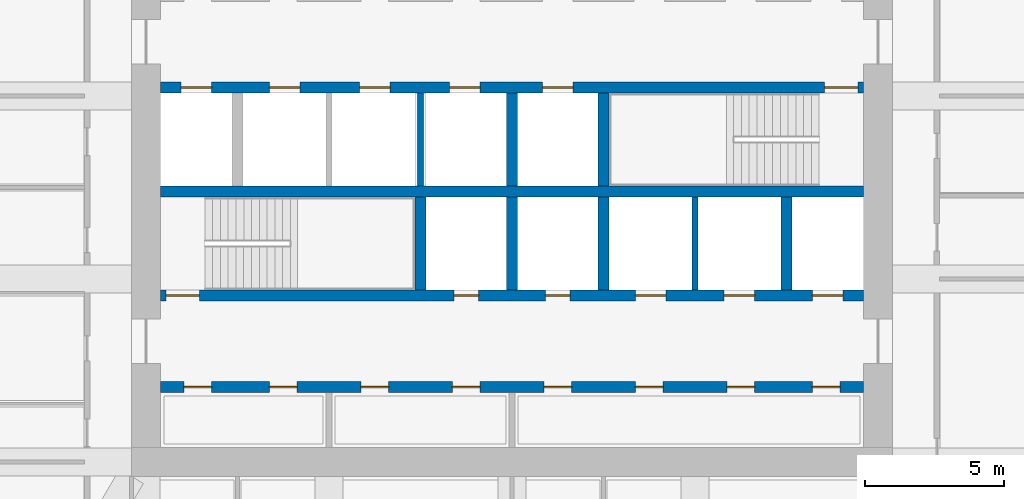
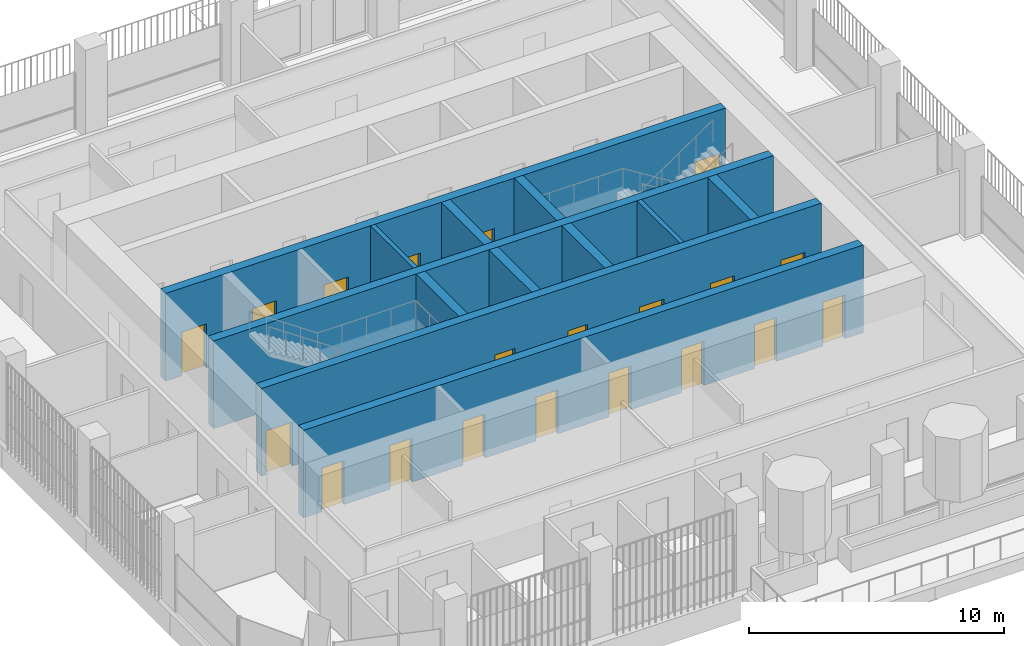
# One storey, part 15 of 21: 20 doors, 12 walls, 20 openings.
"""IFC4 building model written with IfcOpenShell, lengths in metres."""

from ifc_helpers import new_model, si_unit, direction, frame, frame_2d, origin, place, context, subcontext, project, spatial, rectangle, extrude, material, layer, layer_set, type_object, element, fill, save


model = new_model("IFC4")

# Units and contexts
model_context = context("Model", 3, precision=1e-05, world=origin(), true_north=direction((0.0, 1.0)))
body_context = subcontext(model_context, "Body", "Model", "MODEL_VIEW")
ifc_project = project(units=[si_unit("LENGTHUNIT", "METRE"), si_unit("AREAUNIT", "SQUARE_METRE"), si_unit("VOLUMEUNIT", "CUBIC_METRE"), si_unit("PLANEANGLEUNIT", "RADIAN"), si_unit("MASSUNIT", "GRAM", prefix="KILO")], contexts=[model_context])

# Site, building, storey
site_placement = place(None, origin())
site = spatial("IfcSite", under=ifc_project, at=site_placement, CompositionType="ELEMENT")
building_placement = place(site_placement, origin())
building = spatial("IfcBuilding", under=site, at=building_placement, Name="Cobogo Forest Laboratory Tower", CompositionType="ELEMENT")
storey_placement = place(building_placement, frame((0.0, 0.0, 258.60009765625)))
storey = spatial("IfcBuildingStorey", under=building, at=storey_placement, Name="L59", CompositionType="ELEMENT", Elevation=258.60009765625)

# Wall, openings, doors
ifc_material_1 = material(Name="Concrete HA-50 (C50/60)", Category="concrete")
ifc_layer_1 = layer(ifc_material_1, 0.39990234375)
ifc_layer_set_1 = layer_set([ifc_layer_1], Name="CI400 core inner wall 400")
wall_type_1 = type_object("IfcWallType", Name="CI400 core inner wall 400", PredefinedType="SHEAR", material=ifc_layer_set_1)
wall_1_placement = place(storey_placement, frame((13.72509765625, 15.89990234375, 0.0), z_axis=(0.0, 0.0, 1.0), x_axis=(1.0, 0.0, 0.0)))
wall_1 = element("IfcWall", 1, at=wall_1_placement, inside=storey, type_object=wall_type_1, Name="Core wall CI-15.9 L59", PredefinedType="SHEAR", context=body_context, shape_type="SweptSolid", body=[
    extrude(rectangle(XDim=25.349853515625, YDim=0.39990234375, at=frame_2d((12.6748046875, 0.0))), origin(), (0.0, 0.0, 1.0), 4.199951171875),
])
opening_1_placement = place(wall_1_placement, frame((0.83740234375, 0.0, 0.0)))
opening_1 = element("IfcOpeningElement", 2, at=opening_1_placement, cuts=wall_1, Name="Opening L59-D15", PredefinedType="OPENING", context=body_context, shape_type="SweptSolid", body=[
    extrude(rectangle(XDim=1.0, YDim=2.10009765625, at=frame_2d((0.5, 1.050048828125))), frame((0.0, 0.2099609375, 0.0), z_axis=(0.0, -1.0, 0.0), x_axis=(1.0, 0.0, 0.0)), (0.0, 0.0, 1.0), 0.419921875),
])
opening_2_placement = place(wall_1_placement, frame((3.925048828125, 0.0, 0.0)))
opening_2 = element("IfcOpeningElement", 3, at=opening_2_placement, cuts=wall_1, Name="Opening L59-D16", PredefinedType="OPENING", context=body_context, shape_type="SweptSolid", body=[
    extrude(rectangle(XDim=1.0, YDim=2.10009765625, at=frame_2d((0.5, 1.050048828125))), frame((0.0, 0.2099609375, 0.0), z_axis=(0.0, -1.0, 0.0), x_axis=(1.0, 0.0, 0.0)), (0.0, 0.0, 1.0), 0.419921875),
])
opening_3_placement = place(wall_1_placement, frame((7.22509765625, 0.0, 0.0)))
opening_3 = element("IfcOpeningElement", 4, at=opening_3_placement, cuts=wall_1, Name="Opening L59-D17", PredefinedType="OPENING", context=body_context, shape_type="SweptSolid", body=[
    extrude(rectangle(XDim=1.0, YDim=2.10009765625, at=frame_2d((0.5, 1.050048828125))), frame((0.0, 0.2099609375, 0.0), z_axis=(0.0, -1.0, 0.0), x_axis=(1.0, 0.0, 0.0)), (0.0, 0.0, 1.0), 0.419921875),
])
opening_4_placement = place(wall_1_placement, frame((10.52490234375, 0.0, 0.0)))
opening_4 = element("IfcOpeningElement", 5, at=opening_4_placement, cuts=wall_1, Name="Opening L59-D18", PredefinedType="OPENING", context=body_context, shape_type="SweptSolid", body=[
    extrude(rectangle(XDim=1.0, YDim=2.10009765625, at=frame_2d((0.5, 1.050048828125))), frame((0.0, 0.2099609375, 0.0), z_axis=(0.0, -1.0, 0.0), x_axis=(1.0, 0.0, 0.0)), (0.0, 0.0, 1.0), 0.419921875),
])
opening_5_placement = place(wall_1_placement, frame((13.824951171875, 0.0, 0.0)))
opening_5 = element("IfcOpeningElement", 6, at=opening_5_placement, cuts=wall_1, Name="Opening L59-D19", PredefinedType="OPENING", context=body_context, shape_type="SweptSolid", body=[
    extrude(rectangle(XDim=1.0, YDim=2.10009765625, at=frame_2d((0.5, 1.050048828125))), frame((0.0, 0.2099609375, 0.0), z_axis=(0.0, -1.0, 0.0), x_axis=(1.0, 0.0, 0.0)), (0.0, 0.0, 1.0), 0.419921875),
])
opening_6_placement = place(wall_1_placement, frame((17.125, 0.0, 0.0)))
opening_6 = element("IfcOpeningElement", 7, at=opening_6_placement, cuts=wall_1, Name="Opening L59-D20", PredefinedType="OPENING", context=body_context, shape_type="SweptSolid", body=[
    extrude(rectangle(XDim=1.0, YDim=2.10009765625, at=frame_2d((0.5, 1.050048828125))), frame((0.0, 0.2099609375, 0.0), z_axis=(0.0, -1.0, 0.0), x_axis=(1.0, 0.0, 0.0)), (0.0, 0.0, 1.0), 0.419921875),
])
opening_7_placement = place(wall_1_placement, frame((20.425048828125, 0.0, 0.0)))
opening_7 = element("IfcOpeningElement", 8, at=opening_7_placement, cuts=wall_1, Name="Opening L59-D21", PredefinedType="OPENING", context=body_context, shape_type="SweptSolid", body=[
    extrude(rectangle(XDim=1.0, YDim=2.10009765625, at=frame_2d((0.5, 1.050048828125))), frame((0.0, 0.2099609375, 0.0), z_axis=(0.0, -1.0, 0.0), x_axis=(1.0, 0.0, 0.0)), (0.0, 0.0, 1.0), 0.419921875),
])
opening_8_placement = place(wall_1_placement, frame((23.512451171875, 0.0, 0.0)))
opening_8 = element("IfcOpeningElement", 9, at=opening_8_placement, cuts=wall_1, Name="Opening L59-D22", PredefinedType="OPENING", context=body_context, shape_type="SweptSolid", body=[
    extrude(rectangle(XDim=1.0, YDim=2.10009765625, at=frame_2d((0.5, 1.050048828125))), frame((0.0, 0.2099609375, 0.0), z_axis=(0.0, -1.0, 0.0), x_axis=(1.0, 0.0, 0.0)), (0.0, 0.0, 1.0), 0.419921875),
])
ifc_material_2 = material(Name="Steel fire door", Category="steel")
door_type_1 = type_object("IfcDoorType", Name="FD1 fire door 1000 EI2 60", OperationType="SINGLE_SWING_LEFT", PredefinedType="DOOR", material=ifc_material_2)
door_1_placement = place(opening_1_placement, origin())
door_1 = element("IfcDoor", 10, at=door_1_placement, inside=storey, type_object=door_type_1, Name="Door L59-SH-LA1", OperationType="SINGLE_SWING_LEFT", OverallHeight=2.10009765625, OverallWidth=1.0, PredefinedType="DOOR", context=body_context, shape_type="SweptSolid", body=[
    extrude(rectangle(XDim=1.0, YDim=2.10009765625, at=frame_2d((0.5, 1.050048828125))), frame((0.0, 0.02490234375, 0.0), z_axis=(0.0, -1.0, 0.0), x_axis=(1.0, 0.0, 0.0)), (0.0, 0.0, 1.0), 0.050048828125),
])
fill(opening_1, door_1)
door_2_placement = place(opening_2_placement, origin())
door_2 = element("IfcDoor", 11, at=door_2_placement, inside=storey, type_object=door_type_1, Name="Door L59-SH-LA2", OperationType="SINGLE_SWING_LEFT", OverallHeight=2.10009765625, OverallWidth=1.0, PredefinedType="DOOR", context=body_context, shape_type="SweptSolid", body=[
    extrude(rectangle(XDim=1.0, YDim=2.10009765625, at=frame_2d((0.5, 1.050048828125))), frame((0.0, 0.02490234375, 0.0), z_axis=(0.0, -1.0, 0.0), x_axis=(1.0, 0.0, 0.0)), (0.0, 0.0, 1.0), 0.050048828125),
])
fill(opening_2, door_2)
door_3_placement = place(opening_3_placement, origin())
door_3 = element("IfcDoor", 12, at=door_3_placement, inside=storey, type_object=door_type_1, Name="Door L59-SH-LA3", OperationType="SINGLE_SWING_LEFT", OverallHeight=2.10009765625, OverallWidth=1.0, PredefinedType="DOOR", context=body_context, shape_type="SweptSolid", body=[
    extrude(rectangle(XDim=1.0, YDim=2.10009765625, at=frame_2d((0.5, 1.050048828125))), frame((0.0, 0.02490234375, 0.0), z_axis=(0.0, -1.0, 0.0), x_axis=(1.0, 0.0, 0.0)), (0.0, 0.0, 1.0), 0.050048828125),
])
fill(opening_3, door_3)
door_4_placement = place(opening_4_placement, origin())
door_4 = element("IfcDoor", 13, at=door_4_placement, inside=storey, type_object=door_type_1, Name="Door L59-SH-LA4", OperationType="SINGLE_SWING_LEFT", OverallHeight=2.10009765625, OverallWidth=1.0, PredefinedType="DOOR", context=body_context, shape_type="SweptSolid", body=[
    extrude(rectangle(XDim=1.0, YDim=2.10009765625, at=frame_2d((0.5, 1.050048828125))), frame((0.0, 0.02490234375, 0.0), z_axis=(0.0, -1.0, 0.0), x_axis=(1.0, 0.0, 0.0)), (0.0, 0.0, 1.0), 0.050048828125),
])
fill(opening_4, door_4)
door_5_placement = place(opening_5_placement, origin())
door_5 = element("IfcDoor", 14, at=door_5_placement, inside=storey, type_object=door_type_1, Name="Door L59-SH-LB1", OperationType="SINGLE_SWING_RIGHT", OverallHeight=2.10009765625, OverallWidth=1.0, PredefinedType="DOOR", context=body_context, shape_type="SweptSolid", body=[
    extrude(rectangle(XDim=1.0, YDim=2.10009765625, at=frame_2d((0.5, 1.050048828125))), frame((0.0, 0.02490234375, 0.0), z_axis=(0.0, -1.0, 0.0), x_axis=(1.0, 0.0, 0.0)), (0.0, 0.0, 1.0), 0.050048828125),
])
fill(opening_5, door_5)
door_6_placement = place(opening_6_placement, origin())
door_6 = element("IfcDoor", 15, at=door_6_placement, inside=storey, type_object=door_type_1, Name="Door L59-SH-LB2", OperationType="SINGLE_SWING_RIGHT", OverallHeight=2.10009765625, OverallWidth=1.0, PredefinedType="DOOR", context=body_context, shape_type="SweptSolid", body=[
    extrude(rectangle(XDim=1.0, YDim=2.10009765625, at=frame_2d((0.5, 1.050048828125))), frame((0.0, 0.02490234375, 0.0), z_axis=(0.0, -1.0, 0.0), x_axis=(1.0, 0.0, 0.0)), (0.0, 0.0, 1.0), 0.050048828125),
])
fill(opening_6, door_6)
door_7_placement = place(opening_7_placement, origin())
door_7 = element("IfcDoor", 16, at=door_7_placement, inside=storey, type_object=door_type_1, Name="Door L59-SH-LB3", OperationType="SINGLE_SWING_RIGHT", OverallHeight=2.10009765625, OverallWidth=1.0, PredefinedType="DOOR", context=body_context, shape_type="SweptSolid", body=[
    extrude(rectangle(XDim=1.0, YDim=2.10009765625, at=frame_2d((0.5, 1.050048828125))), frame((0.0, 0.02490234375, 0.0), z_axis=(0.0, -1.0, 0.0), x_axis=(1.0, 0.0, 0.0)), (0.0, 0.0, 1.0), 0.050048828125),
])
fill(opening_7, door_7)
door_8_placement = place(opening_8_placement, origin())
door_8 = element("IfcDoor", 17, at=door_8_placement, inside=storey, type_object=door_type_1, Name="Door L59-SH-LB4", OperationType="SINGLE_SWING_RIGHT", OverallHeight=2.10009765625, OverallWidth=1.0, PredefinedType="DOOR", context=body_context, shape_type="SweptSolid", body=[
    extrude(rectangle(XDim=1.0, YDim=2.10009765625, at=frame_2d((0.5, 1.050048828125))), frame((0.0, 0.02490234375, 0.0), z_axis=(0.0, -1.0, 0.0), x_axis=(1.0, 0.0, 0.0)), (0.0, 0.0, 1.0), 0.050048828125),
])
fill(opening_8, door_8)

wall_2_placement = place(storey_placement, frame((13.72509765625, 19.199951171875, 0.0), z_axis=(0.0, 0.0, 1.0), x_axis=(1.0, 0.0, 0.0)))
wall_2 = element("IfcWall", 18, at=wall_2_placement, inside=storey, type_object=wall_type_1, Name="Core wall CI-19.2 L59", PredefinedType="SHEAR", context=body_context, shape_type="SweptSolid", body=[
    extrude(rectangle(XDim=25.349853515625, YDim=0.39990234375, at=frame_2d((12.6748046875, 0.0))), origin(), (0.0, 0.0, 1.0), 4.199951171875),
])
opening_9_placement = place(wall_2_placement, frame((10.574951171875, 0.0, 0.0)))
opening_9 = element("IfcOpeningElement", 19, at=opening_9_placement, cuts=wall_2, Name="Opening L59-D27", PredefinedType="OPENING", context=body_context, shape_type="SweptSolid", body=[
    extrude(rectangle(XDim=0.89990234375, YDim=2.10009765625, at=frame_2d((0.449951171875, 1.050048828125))), frame((0.0, 0.2099609375, 0.0), z_axis=(0.0, -1.0, 0.0), x_axis=(1.0, 0.0, 0.0)), (0.0, 0.0, 1.0), 0.419921875),
])
opening_10_placement = place(wall_2_placement, frame((13.875, 0.0, 0.0)))
opening_10 = element("IfcOpeningElement", 20, at=opening_10_placement, cuts=wall_2, Name="Opening L59-D28", PredefinedType="OPENING", context=body_context, shape_type="SweptSolid", body=[
    extrude(rectangle(XDim=0.89990234375, YDim=2.10009765625, at=frame_2d((0.449951171875, 1.050048828125))), frame((0.0, 0.2099609375, 0.0), z_axis=(0.0, -1.0, 0.0), x_axis=(1.0, 0.0, 0.0)), (0.0, 0.0, 1.0), 0.419921875),
])
opening_11_placement = place(wall_2_placement, frame((0.199951171875, 0.0, 0.0)))
opening_11 = element("IfcOpeningElement", 21, at=opening_11_placement, cuts=wall_2, Name="Opening L59-D26", PredefinedType="OPENING", context=body_context, shape_type="SweptSolid", body=[
    extrude(rectangle(XDim=1.199951171875, YDim=2.10009765625, at=frame_2d((0.60009765625, 1.050048828125))), frame((0.0, 0.2099609375, 0.0), z_axis=(0.0, -1.0, 0.0), x_axis=(1.0, 0.0, 0.0)), (0.0, 0.0, 1.0), 0.419921875),
])
opening_12_placement = place(wall_2_placement, frame((23.512451171875, 0.0, 0.0)))
opening_12 = element("IfcOpeningElement", 22, at=opening_12_placement, cuts=wall_2, Name="Opening L59-LD-FL2", PredefinedType="OPENING", context=body_context, shape_type="SweptSolid", body=[
    extrude(rectangle(XDim=1.10009765625, YDim=2.10009765625, at=frame_2d((0.550048828125, 1.050048828125))), frame((0.0, 0.2099609375, 0.0), z_axis=(0.0, -1.0, 0.0), x_axis=(1.0, 0.0, 0.0)), (0.0, 0.0, 1.0), 0.419921875),
])
opening_13_placement = place(wall_2_placement, frame((17.125, 0.0, 0.0)))
opening_13 = element("IfcOpeningElement", 23, at=opening_13_placement, cuts=wall_2, Name="Opening L59-LD-LS1", PredefinedType="OPENING", context=body_context, shape_type="SweptSolid", body=[
    extrude(rectangle(XDim=1.10009765625, YDim=2.10009765625, at=frame_2d((0.550048828125, 1.050048828125))), frame((0.0, 0.2099609375, 0.0), z_axis=(0.0, -1.0, 0.0), x_axis=(1.0, 0.0, 0.0)), (0.0, 0.0, 1.0), 0.419921875),
])
opening_14_placement = place(wall_2_placement, frame((20.324951171875, 0.0, 0.0)))
opening_14 = element("IfcOpeningElement", 24, at=opening_14_placement, cuts=wall_2, Name="Opening L59-LD-LS2", PredefinedType="OPENING", context=body_context, shape_type="SweptSolid", body=[
    extrude(rectangle(XDim=1.10009765625, YDim=2.10009765625, at=frame_2d((0.550048828125, 1.050048828125))), frame((0.0, 0.2099609375, 0.0), z_axis=(0.0, -1.0, 0.0), x_axis=(1.0, 0.0, 0.0)), (0.0, 0.0, 1.0), 0.419921875),
])
door_type_2 = type_object("IfcDoorType", Name="DS1 protected stair door 1200 EI2 60", OperationType="SINGLE_SWING_LEFT", PredefinedType="DOOR", material=ifc_material_2)
door_9_placement = place(opening_11_placement, origin())
door_9 = element("IfcDoor", 25, at=door_9_placement, inside=storey, type_object=door_type_2, Name="Door L59-ST1", OperationType="SINGLE_SWING_LEFT", OverallHeight=2.10009765625, OverallWidth=1.199951171875, PredefinedType="DOOR", context=body_context, shape_type="SweptSolid", body=[
    extrude(rectangle(XDim=1.199951171875, YDim=2.10009765625, at=frame_2d((0.60009765625, 1.050048828125))), frame((0.0, 0.02490234375, 0.0), z_axis=(0.0, -1.0, 0.0), x_axis=(1.0, 0.0, 0.0)), (0.0, 0.0, 1.0), 0.050048828125),
])
fill(opening_11, door_9)
door_type_3 = type_object("IfcDoorType", Name="FD4 riser access door 900 EI2 60", OperationType="SINGLE_SWING_LEFT", PredefinedType="DOOR", material=ifc_material_2)
door_10_placement = place(opening_9_placement, origin())
door_10 = element("IfcDoor", 26, at=door_10_placement, inside=storey, type_object=door_type_3, Name="Door L59-R1", OperationType="SINGLE_SWING_LEFT", OverallHeight=2.10009765625, OverallWidth=0.89990234375, PredefinedType="DOOR", context=body_context, shape_type="SweptSolid", body=[
    extrude(rectangle(XDim=0.89990234375, YDim=2.10009765625, at=frame_2d((0.449951171875, 1.050048828125))), frame((0.0, 0.02490234375, 0.0), z_axis=(0.0, -1.0, 0.0), x_axis=(1.0, 0.0, 0.0)), (0.0, 0.0, 1.0), 0.050048828125),
])
fill(opening_9, door_10)
door_11_placement = place(opening_10_placement, origin())
door_11 = element("IfcDoor", 27, at=door_11_placement, inside=storey, type_object=door_type_3, Name="Door L59-R2", OperationType="SINGLE_SWING_RIGHT", OverallHeight=2.10009765625, OverallWidth=0.89990234375, PredefinedType="DOOR", context=body_context, shape_type="SweptSolid", body=[
    extrude(rectangle(XDim=0.89990234375, YDim=2.10009765625, at=frame_2d((0.449951171875, 1.050048828125))), frame((0.0, 0.02490234375, 0.0), z_axis=(0.0, -1.0, 0.0), x_axis=(1.0, 0.0, 0.0)), (0.0, 0.0, 1.0), 0.050048828125),
])
fill(opening_10, door_11)
ifc_material_3 = material(Name="Stainless steel lift door", Category="steel")
door_type_4 = type_object("IfcDoorType", Name="LD lift landing door 1100", OperationType="DOUBLE_DOOR_SLIDING", PredefinedType="DOOR", material=ifc_material_3)
door_12_placement = place(opening_12_placement, origin())
door_12 = element("IfcDoor", 28, at=door_12_placement, inside=storey, type_object=door_type_4, Name="Lift landing door FL2 L59", OperationType="DOUBLE_DOOR_SLIDING", OverallHeight=2.10009765625, OverallWidth=1.10009765625, PredefinedType="DOOR", context=body_context, shape_type="SweptSolid", body=[
    extrude(rectangle(XDim=1.10009765625, YDim=2.10009765625, at=frame_2d((0.550048828125, 1.050048828125))), frame((0.0, 0.02490234375, 0.0), z_axis=(0.0, -1.0, 0.0), x_axis=(1.0, 0.0, 0.0)), (0.0, 0.0, 1.0), 0.050048828125),
])
fill(opening_12, door_12)
door_13_placement = place(opening_13_placement, origin())
door_13 = element("IfcDoor", 29, at=door_13_placement, inside=storey, type_object=door_type_4, Name="Lift landing door LS1 L59", OperationType="DOUBLE_DOOR_SLIDING", OverallHeight=2.10009765625, OverallWidth=1.10009765625, PredefinedType="DOOR", context=body_context, shape_type="SweptSolid", body=[
    extrude(rectangle(XDim=1.10009765625, YDim=2.10009765625, at=frame_2d((0.550048828125, 1.050048828125))), frame((0.0, 0.02490234375, 0.0), z_axis=(0.0, -1.0, 0.0), x_axis=(1.0, 0.0, 0.0)), (0.0, 0.0, 1.0), 0.050048828125),
])
fill(opening_13, door_13)
door_14_placement = place(opening_14_placement, origin())
door_14 = element("IfcDoor", 30, at=door_14_placement, inside=storey, type_object=door_type_4, Name="Lift landing door LS2 L59", OperationType="DOUBLE_DOOR_SLIDING", OverallHeight=2.10009765625, OverallWidth=1.10009765625, PredefinedType="DOOR", context=body_context, shape_type="SweptSolid", body=[
    extrude(rectangle(XDim=1.10009765625, YDim=2.10009765625, at=frame_2d((0.550048828125, 1.050048828125))), frame((0.0, 0.02490234375, 0.0), z_axis=(0.0, -1.0, 0.0), x_axis=(1.0, 0.0, 0.0)), (0.0, 0.0, 1.0), 0.050048828125),
])
fill(opening_14, door_14)

# Wall
wall_3_placement = place(storey_placement, frame((13.72509765625, 22.949951171875, 0.0), z_axis=(0.0, 0.0, 1.0), x_axis=(1.0, 0.0, 0.0)))
element("IfcWall", 31, at=wall_3_placement, inside=storey, type_object=wall_type_1, Name="Core wall CI-22.95 L59", PredefinedType="SHEAR", context=body_context, shape_type="SweptSolid", body=[
    extrude(rectangle(XDim=25.349853515625, YDim=0.39990234375, at=frame_2d((12.6748046875, 0.0))), origin(), (0.0, 0.0, 1.0), 4.199951171875),
])

# Wall, openings, doors
wall_4_placement = place(storey_placement, frame((13.72509765625, 26.699951171875, 0.0), z_axis=(0.0, 0.0, 1.0), x_axis=(1.0, 0.0, 0.0)))
wall_4 = element("IfcWall", 32, at=wall_4_placement, inside=storey, type_object=wall_type_1, Name="Core wall CI-26.7 L59", PredefinedType="SHEAR", context=body_context, shape_type="SweptSolid", body=[
    extrude(rectangle(XDim=25.349853515625, YDim=0.39990234375, at=frame_2d((12.6748046875, 0.0))), origin(), (0.0, 0.0, 1.0), 4.199951171875),
])
opening_15_placement = place(wall_4_placement, frame((23.949951171875, 0.0, 0.0)))
opening_15 = element("IfcOpeningElement", 33, at=opening_15_placement, cuts=wall_4, Name="Opening L59-D33", PredefinedType="OPENING", context=body_context, shape_type="SweptSolid", body=[
    extrude(rectangle(XDim=1.199951171875, YDim=2.10009765625, at=frame_2d((0.60009765625, 1.050048828125))), frame((0.0, 0.2099609375, 0.0), z_axis=(0.0, -1.0, 0.0), x_axis=(1.0, 0.0, 0.0)), (0.0, 0.0, 1.0), 0.419921875),
])
opening_16_placement = place(wall_4_placement, frame((0.737548828125, 0.0, 0.0)))
opening_16 = element("IfcOpeningElement", 34, at=opening_16_placement, cuts=wall_4, Name="Opening L59-LD-FL1", PredefinedType="OPENING", context=body_context, shape_type="SweptSolid", body=[
    extrude(rectangle(XDim=1.10009765625, YDim=2.10009765625, at=frame_2d((0.550048828125, 1.050048828125))), frame((0.0, 0.2099609375, 0.0), z_axis=(0.0, -1.0, 0.0), x_axis=(1.0, 0.0, 0.0)), (0.0, 0.0, 1.0), 0.419921875),
])
opening_17_placement = place(wall_4_placement, frame((3.925048828125, 0.0, 0.0)))
opening_17 = element("IfcOpeningElement", 35, at=opening_17_placement, cuts=wall_4, Name="Opening L59-LD-LS3", PredefinedType="OPENING", context=body_context, shape_type="SweptSolid", body=[
    extrude(rectangle(XDim=1.10009765625, YDim=2.10009765625, at=frame_2d((0.550048828125, 1.050048828125))), frame((0.0, 0.2099609375, 0.0), z_axis=(0.0, -1.0, 0.0), x_axis=(1.0, 0.0, 0.0)), (0.0, 0.0, 1.0), 0.419921875),
])
opening_18_placement = place(wall_4_placement, frame((7.175048828125, 0.0, 0.0)))
opening_18 = element("IfcOpeningElement", 36, at=opening_18_placement, cuts=wall_4, Name="Opening L59-LD-LS4", PredefinedType="OPENING", context=body_context, shape_type="SweptSolid", body=[
    extrude(rectangle(XDim=1.10009765625, YDim=2.10009765625, at=frame_2d((0.550048828125, 1.050048828125))), frame((0.0, 0.2099609375, 0.0), z_axis=(0.0, -1.0, 0.0), x_axis=(1.0, 0.0, 0.0)), (0.0, 0.0, 1.0), 0.419921875),
])
opening_19_placement = place(wall_4_placement, frame((10.425048828125, 0.0, 0.0)))
opening_19 = element("IfcOpeningElement", 37, at=opening_19_placement, cuts=wall_4, Name="Opening L59-LD-LS5", PredefinedType="OPENING", context=body_context, shape_type="SweptSolid", body=[
    extrude(rectangle(XDim=1.10009765625, YDim=2.10009765625, at=frame_2d((0.550048828125, 1.050048828125))), frame((0.0, 0.2099609375, 0.0), z_axis=(0.0, -1.0, 0.0), x_axis=(1.0, 0.0, 0.0)), (0.0, 0.0, 1.0), 0.419921875),
])
opening_20_placement = place(wall_4_placement, frame((13.77490234375, 0.0, 0.0)))
opening_20 = element("IfcOpeningElement", 38, at=opening_20_placement, cuts=wall_4, Name="Opening L59-LD-LS6", PredefinedType="OPENING", context=body_context, shape_type="SweptSolid", body=[
    extrude(rectangle(XDim=1.10009765625, YDim=2.10009765625, at=frame_2d((0.550048828125, 1.050048828125))), frame((0.0, 0.2099609375, 0.0), z_axis=(0.0, -1.0, 0.0), x_axis=(1.0, 0.0, 0.0)), (0.0, 0.0, 1.0), 0.419921875),
])
door_15_placement = place(opening_15_placement, origin())
door_15 = element("IfcDoor", 39, at=door_15_placement, inside=storey, type_object=door_type_2, Name="Door L59-ST2", OperationType="SINGLE_SWING_RIGHT", OverallHeight=2.10009765625, OverallWidth=1.199951171875, PredefinedType="DOOR", context=body_context, shape_type="SweptSolid", body=[
    extrude(rectangle(XDim=1.199951171875, YDim=2.10009765625, at=frame_2d((0.60009765625, 1.050048828125))), frame((0.0, 0.02490234375, 0.0), z_axis=(0.0, -1.0, 0.0), x_axis=(1.0, 0.0, 0.0)), (0.0, 0.0, 1.0), 0.050048828125),
])
fill(opening_15, door_15)
door_16_placement = place(opening_16_placement, origin())
door_16 = element("IfcDoor", 40, at=door_16_placement, inside=storey, type_object=door_type_4, Name="Lift landing door FL1 L59", OperationType="DOUBLE_DOOR_SLIDING", OverallHeight=2.10009765625, OverallWidth=1.10009765625, PredefinedType="DOOR", context=body_context, shape_type="SweptSolid", body=[
    extrude(rectangle(XDim=1.10009765625, YDim=2.10009765625, at=frame_2d((0.550048828125, 1.050048828125))), frame((0.0, 0.02490234375, 0.0), z_axis=(0.0, -1.0, 0.0), x_axis=(1.0, 0.0, 0.0)), (0.0, 0.0, 1.0), 0.050048828125),
])
fill(opening_16, door_16)
door_17_placement = place(opening_17_placement, origin())
door_17 = element("IfcDoor", 41, at=door_17_placement, inside=storey, type_object=door_type_4, Name="Lift landing door LS3 L59", OperationType="DOUBLE_DOOR_SLIDING", OverallHeight=2.10009765625, OverallWidth=1.10009765625, PredefinedType="DOOR", context=body_context, shape_type="SweptSolid", body=[
    extrude(rectangle(XDim=1.10009765625, YDim=2.10009765625, at=frame_2d((0.550048828125, 1.050048828125))), frame((0.0, 0.02490234375, 0.0), z_axis=(0.0, -1.0, 0.0), x_axis=(1.0, 0.0, 0.0)), (0.0, 0.0, 1.0), 0.050048828125),
])
fill(opening_17, door_17)
door_18_placement = place(opening_18_placement, origin())
door_18 = element("IfcDoor", 42, at=door_18_placement, inside=storey, type_object=door_type_4, Name="Lift landing door LS4 L59", OperationType="DOUBLE_DOOR_SLIDING", OverallHeight=2.10009765625, OverallWidth=1.10009765625, PredefinedType="DOOR", context=body_context, shape_type="SweptSolid", body=[
    extrude(rectangle(XDim=1.10009765625, YDim=2.10009765625, at=frame_2d((0.550048828125, 1.050048828125))), frame((0.0, 0.02490234375, 0.0), z_axis=(0.0, -1.0, 0.0), x_axis=(1.0, 0.0, 0.0)), (0.0, 0.0, 1.0), 0.050048828125),
])
fill(opening_18, door_18)
door_19_placement = place(opening_19_placement, origin())
door_19 = element("IfcDoor", 43, at=door_19_placement, inside=storey, type_object=door_type_4, Name="Lift landing door LS5 L59", OperationType="DOUBLE_DOOR_SLIDING", OverallHeight=2.10009765625, OverallWidth=1.10009765625, PredefinedType="DOOR", context=body_context, shape_type="SweptSolid", body=[
    extrude(rectangle(XDim=1.10009765625, YDim=2.10009765625, at=frame_2d((0.550048828125, 1.050048828125))), frame((0.0, 0.02490234375, 0.0), z_axis=(0.0, -1.0, 0.0), x_axis=(1.0, 0.0, 0.0)), (0.0, 0.0, 1.0), 0.050048828125),
])
fill(opening_19, door_19)
door_20_placement = place(opening_20_placement, origin())
door_20 = element("IfcDoor", 44, at=door_20_placement, inside=storey, type_object=door_type_4, Name="Lift landing door LS6 L59", OperationType="DOUBLE_DOOR_SLIDING", OverallHeight=2.10009765625, OverallWidth=1.10009765625, PredefinedType="DOOR", context=body_context, shape_type="SweptSolid", body=[
    extrude(rectangle(XDim=1.10009765625, YDim=2.10009765625, at=frame_2d((0.550048828125, 1.050048828125))), frame((0.0, 0.02490234375, 0.0), z_axis=(0.0, -1.0, 0.0), x_axis=(1.0, 0.0, 0.0)), (0.0, 0.0, 1.0), 0.050048828125),
])
fill(opening_20, door_20)

# Walls
for number, where, z_axis, x_axis, name in (
    (45, (23.10009765625, 19.39990234375, 0.0), (0.0, 0.0, 1.0), (0.0, 1.0, 0.0), "Core wall CX-23.1 L59"),
    (46, (26.39990234375, 19.39990234375, 0.0), (0.0, 0.0, 1.0), (0.0, 1.0, 0.0), "Core wall CX-26.4S L59"),
    (47, (29.699951171875, 19.39990234375, 0.0), (0.0, 0.0, 1.0), (0.0, 1.0, 0.0), "Core wall CX-29.7S L59"),
    (48, (36.300048828125, 19.39990234375, 0.0), (0.0, 0.0, 1.0), (0.0, 1.0, 0.0), "Core wall CX-36.3 L59"),
    (49, (26.39990234375, 23.14990234375, 0.0), (0.0, 0.0, 1.0), (0.0, 1.0, 0.0), "Core wall CX-26.4N L59"),
    (50, (29.699951171875, 23.14990234375, 0.0), (0.0, 0.0, 1.0), (0.0, 1.0, 0.0), "Core wall CX-29.7N L59"),
):
    element("IfcWall", number, at=place(storey_placement, frame(where, z_axis=z_axis, x_axis=x_axis)), inside=storey, type_object=wall_type_1, Name=name, PredefinedType="SHEAR", context=body_context, shape_type="SweptSolid", body=[
        extrude(rectangle(XDim=3.35009765625, YDim=0.39990234375, at=frame_2d((1.675048828125, 0.0))), origin(), (0.0, 0.0, 1.0), 4.199951171875),
    ])
ifc_material_4 = material(Name="Concrete block", Category="concrete")
ifc_layer_2 = layer(ifc_material_4, 0.199951171875)
ifc_layer_set_2 = layer_set([ifc_layer_2], Name="SW200 lift shaft separator 200")
wall_type_2 = type_object("IfcWallType", Name="SW200 lift shaft separator 200", PredefinedType="PARTITIONING", material=ifc_layer_set_2)
for number, where, z_axis, x_axis, name in (
    (51, (33.0, 19.39990234375, 0.0), (0.0, 0.0, 1.0), (0.0, 1.0, 0.0), "Core wall SEP-M33.0 L59"),
    (52, (23.10009765625, 23.14990234375, 0.0), (0.0, 0.0, 1.0), (0.0, 1.0, 0.0), "Core wall SEP-M23.1 L59"),
):
    element("IfcWall", number, at=place(storey_placement, frame(where, z_axis=z_axis, x_axis=x_axis)), inside=storey, type_object=wall_type_2, Name=name, PredefinedType="PARTITIONING", context=body_context, shape_type="SweptSolid", body=[
        extrude(rectangle(XDim=3.35009765625, YDim=0.199951171875, at=frame_2d((1.675048828125, 0.0))), origin(), (0.0, 0.0, 1.0), 4.199951171875),
    ])

save(model, "model.ifc")
